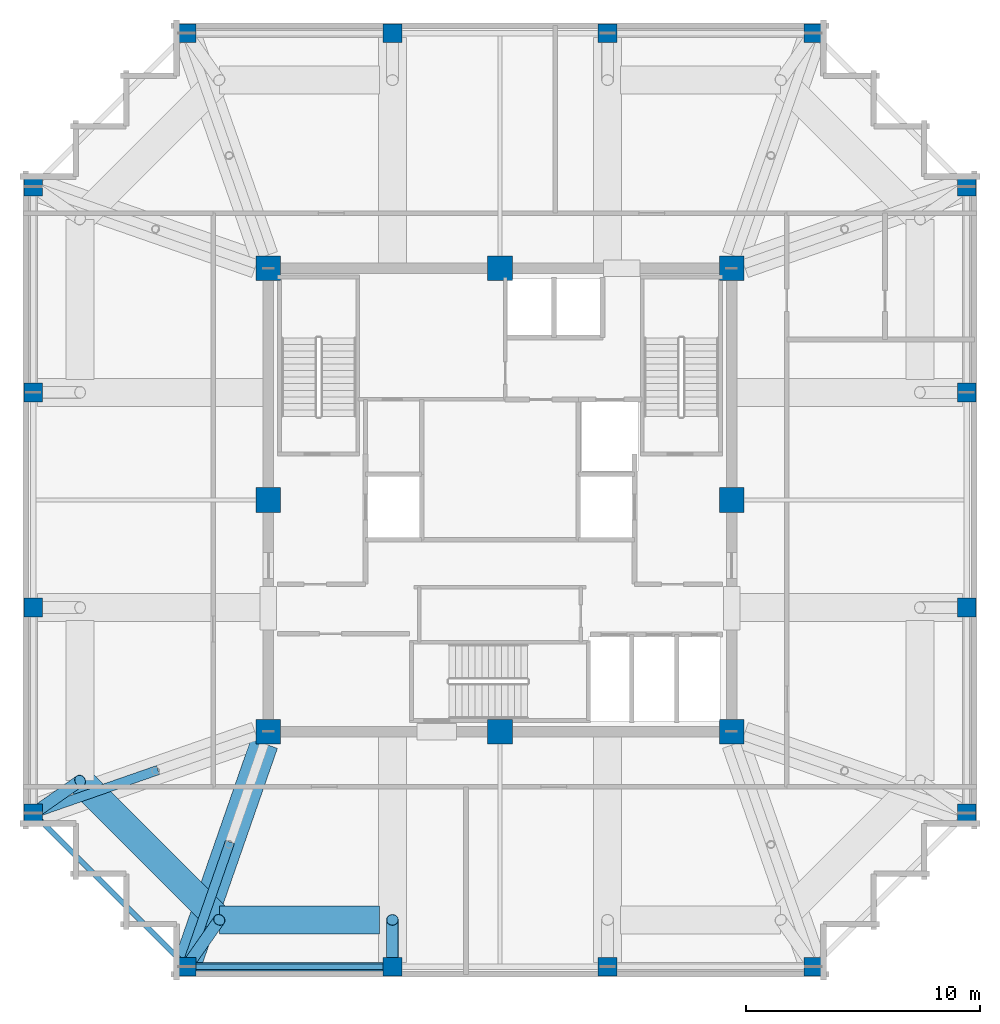
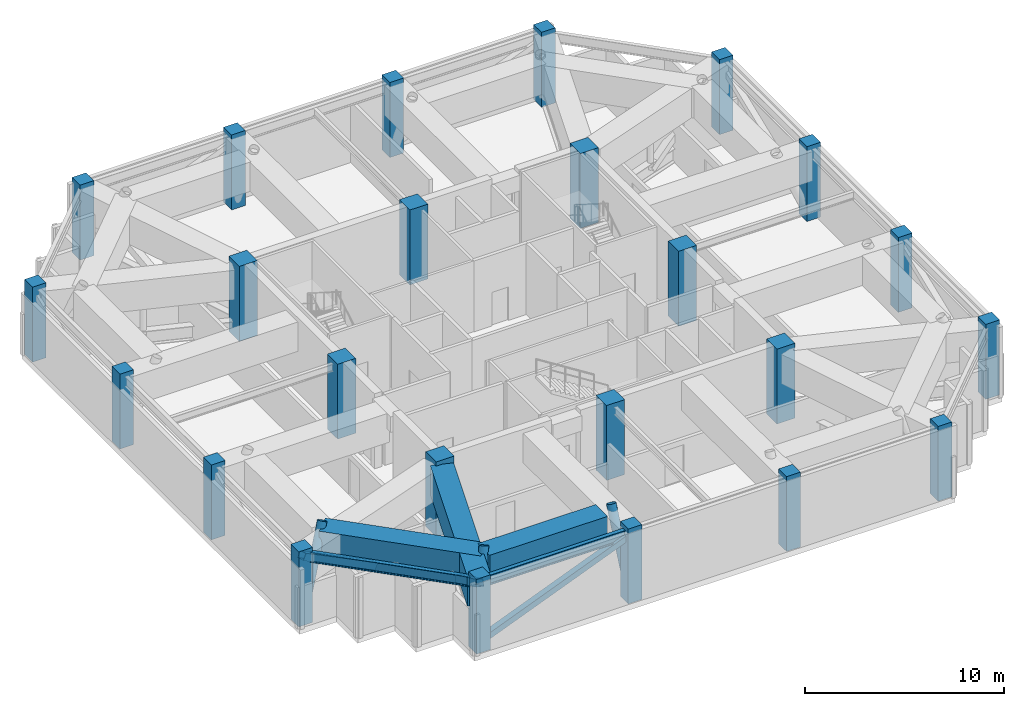
# One storey, part 1 of 14: 24 columns, 6 members, 5 beams.
"""IFC4 building model written with IfcOpenShell, lengths in metres."""

from ifc_helpers import new_model, si_unit, direction, frame, origin, origin_2d, place, context, subcontext, project, spatial, rectangle, hollow_rectangle, hollow_circle, i_section, extrude, material, material_profile, profile_set, type_object, element, save


model = new_model("IFC4")

# Units and contexts
model_context = context("Model", 3, precision=1e-05, world=origin(), true_north=direction((0.0, 1.0)))
body_context = subcontext(model_context, "Body", "Model", "MODEL_VIEW")
ifc_project = project(units=[si_unit("LENGTHUNIT", "METRE"), si_unit("AREAUNIT", "SQUARE_METRE"), si_unit("VOLUMEUNIT", "CUBIC_METRE"), si_unit("PLANEANGLEUNIT", "RADIAN"), si_unit("MASSUNIT", "GRAM", prefix="KILO")], contexts=[model_context])

# Site, building, storey
site_placement = place(None, origin())
site = spatial("IfcSite", under=ifc_project, at=site_placement, CompositionType="ELEMENT")
building_placement = place(site_placement, origin())
building = spatial("IfcBuilding", under=site, at=building_placement, Name="Kolvaren Belvedere", CompositionType="ELEMENT")
storey_placement = place(building_placement, frame((0.0, 0.0, 232.800048828125)))
storey = spatial("IfcBuildingStorey", under=building, at=storey_placement, Name="L68", CompositionType="ELEMENT", Elevation=232.800048828125)

# Columns
ifc_material_1 = material(Name="Concrete C50/60", Category="concrete")
ifc_material_profile_1 = material_profile(ifc_material_1, rectangle(XDim=1.050048828125, YDim=1.050048828125, at=origin_2d()), Name="RC 1050X1050")
ifc_profile_set_1 = profile_set([ifc_material_profile_1], Name="Concrete C50/60")
column_type_1 = type_object("IfcColumnType", Name="COL-RC-1050", PredefinedType="COLUMN", material=ifc_profile_set_1)
for number, where, z_axis, x_axis, name in (
    (1, (-9.89990234375, -9.89990234375, 0.0), (0.0, 0.0, 1.0), (1.0, 0.0, 0.0), "L68 Core Column CC1"),
    (2, (9.89990234375, -9.89990234375, 0.0), (0.0, 0.0, 1.0), (1.0, 0.0, 0.0), "L68 Core Column CC2"),
    (3, (9.89990234375, 9.89990234375, 0.0), (0.0, 0.0, 1.0), (1.0, 0.0, 0.0), "L68 Core Column CC3"),
    (4, (-9.89990234375, 9.89990234375, 0.0), (0.0, 0.0, 1.0), (1.0, 0.0, 0.0), "L68 Core Column CC4"),
    (5, (0.0, -9.89990234375, 0.0), (0.0, 0.0, 1.0), (1.0, 0.0, 0.0), "L68 Core Column CM1"),
    (6, (9.89990234375, 0.0, 0.0), (0.0, 0.0, 1.0), (1.0, 0.0, 0.0), "L68 Core Column CM2"),
    (7, (0.0, 9.89990234375, 0.0), (0.0, 0.0, 1.0), (1.0, 0.0, 0.0), "L68 Core Column CM3"),
    (8, (-9.89990234375, 0.0, 0.0), (0.0, 0.0, 1.0), (1.0, 0.0, 0.0), "L68 Core Column CM4"),
):
    element("IfcColumn", number, at=place(storey_placement, frame(where, z_axis=z_axis, x_axis=x_axis)), inside=storey, type_object=column_type_1, Name=name, PredefinedType="COLUMN", context=body_context, shape_type="SweptSolid", body=[
        extrude(rectangle(XDim=1.050048828125, YDim=1.050048828125, at=origin_2d()), origin(), (0.0, 0.0, 1.0), 4.599853515625),
    ])
ifc_material_2 = material(Name="Concrete C50/60", Category="concrete")
ifc_material_profile_2 = material_profile(ifc_material_2, rectangle(XDim=0.800048828125, YDim=0.800048828125, at=origin_2d()), Name="RC 800X800")
ifc_profile_set_2 = profile_set([ifc_material_profile_2], Name="Concrete C50/60")
column_type_2 = type_object("IfcColumnType", Name="COL-RC-800", PredefinedType="COLUMN", material=ifc_profile_set_2)
for number, where, z_axis, x_axis, name in (
    (9, (-13.39990234375, -19.949951171875, 0.0), (0.0, 0.0, 1.0), (1.0, 0.0, 0.0), "L68 Perimeter Column S1"),
    (10, (-4.60009765625, -19.949951171875, 0.0), (0.0, 0.0, 1.0), (1.0, 0.0, 0.0), "L68 Perimeter Column S2"),
    (11, (4.60009765625, -19.949951171875, 0.0), (0.0, 0.0, 1.0), (1.0, 0.0, 0.0), "L68 Perimeter Column S3"),
    (12, (13.39990234375, -19.949951171875, 0.0), (0.0, 0.0, 1.0), (1.0, 0.0, 0.0), "L68 Perimeter Column S4"),
    (13, (-13.39990234375, 19.949951171875, 0.0), (0.0, 0.0, 1.0), (1.0, 0.0, 0.0), "L68 Perimeter Column N1"),
    (14, (-4.60009765625, 19.949951171875, 0.0), (0.0, 0.0, 1.0), (1.0, 0.0, 0.0), "L68 Perimeter Column N2"),
    (15, (4.60009765625, 19.949951171875, 0.0), (0.0, 0.0, 1.0), (1.0, 0.0, 0.0), "L68 Perimeter Column N3"),
    (16, (13.39990234375, 19.949951171875, 0.0), (0.0, 0.0, 1.0), (1.0, 0.0, 0.0), "L68 Perimeter Column N4"),
    (17, (-19.949951171875, -13.39990234375, 0.0), (0.0, 0.0, 1.0), (1.0, 0.0, 0.0), "L68 Perimeter Column W1"),
    (18, (-19.949951171875, -4.60009765625, 0.0), (0.0, 0.0, 1.0), (1.0, 0.0, 0.0), "L68 Perimeter Column W2"),
    (19, (-19.949951171875, 4.60009765625, 0.0), (0.0, 0.0, 1.0), (1.0, 0.0, 0.0), "L68 Perimeter Column W3"),
    (20, (-19.949951171875, 13.39990234375, 0.0), (0.0, 0.0, 1.0), (1.0, 0.0, 0.0), "L68 Perimeter Column W4"),
    (21, (19.949951171875, -13.39990234375, 0.0), (0.0, 0.0, 1.0), (1.0, 0.0, 0.0), "L68 Perimeter Column E1"),
    (22, (19.949951171875, -4.60009765625, 0.0), (0.0, 0.0, 1.0), (1.0, 0.0, 0.0), "L68 Perimeter Column E2"),
    (23, (19.949951171875, 4.60009765625, 0.0), (0.0, 0.0, 1.0), (1.0, 0.0, 0.0), "L68 Perimeter Column E3"),
    (24, (19.949951171875, 13.39990234375, 0.0), (0.0, 0.0, 1.0), (1.0, 0.0, 0.0), "L68 Perimeter Column E4"),
):
    element("IfcColumn", number, at=place(storey_placement, frame(where, z_axis=z_axis, x_axis=x_axis)), inside=storey, type_object=column_type_2, Name=name, PredefinedType="COLUMN", context=body_context, shape_type="SweptSolid", body=[
        extrude(rectangle(XDim=0.800048828125, YDim=0.800048828125, at=origin_2d()), origin(), (0.0, 0.0, 1.0), 4.599853515625),
    ])

# Beams
ifc_material_3 = material(Name="Structural steel ASTM A992 Grade 50", Category="steel")
ifc_material_profile_3 = material_profile(ifc_material_3, i_section(OverallWidth=0.22900390625, OverallDepth=0.612060546875, WebThickness=0.011962890625, FlangeThickness=0.01953125, FilletRadius=0.01806640625, at=origin_2d()), Name="W24X84")
ifc_profile_set_3 = profile_set([ifc_material_profile_3], Name="Structural steel ASTM A992 Grade 50")
beam_type_1 = type_object("IfcBeamType", Name="BM-SPAN-W24X84", PredefinedType="SPANDREL", material=ifc_profile_set_3)
beam_1_placement = place(storey_placement, frame((-13.219970703125, -19.949951171875, 4.0439453125), z_axis=(1.0, 0.0, 0.0), x_axis=(0.0, 1.0, 0.0)))
element("IfcBeam", 25, at=beam_1_placement, inside=storey, type_object=beam_type_1, Name="L68 Perimeter Spandrel S1-S2", PredefinedType="SPANDREL", context=body_context, shape_type="SweptSolid", body=[
    extrude(i_section(OverallWidth=0.22900390625, OverallDepth=0.612060546875, WebThickness=0.011962890625, FlangeThickness=0.01953125, FilletRadius=0.01806640625, at=origin_2d()), origin(), (0.0, 0.0, 1.0), 8.43994140625),
])
beam_2_placement = place(storey_placement, frame((-19.82275390625, -13.52734375, 4.0439453125), z_axis=(0.707106781187, -0.707106781187, 0.0), x_axis=(0.707106781187, 0.707106781187, 0.0)))
element("IfcBeam", 26, at=beam_2_placement, inside=storey, type_object=beam_type_1, Name="L68 Perimeter Spandrel W1-S1", PredefinedType="SPANDREL", context=body_context, shape_type="SweptSolid", body=[
    extrude(i_section(OverallWidth=0.22900390625, OverallDepth=0.612060546875, WebThickness=0.011962890625, FlangeThickness=0.01953125, FilletRadius=0.01806640625, at=origin_2d()), origin(), (0.0, 0.0, 1.0), 8.903076171875),
])
ifc_material_4 = material(Name="Concrete C50/60", Category="concrete")
ifc_material_profile_4 = material_profile(ifc_material_4, rectangle(XDim=1.199951171875, YDim=1.800048828125, at=origin_2d()), Name="RC 1200X1800")
ifc_profile_set_4 = profile_set([ifc_material_profile_4], Name="Concrete C50/60")
beam_type_2 = type_object("IfcBeamType", Name="BM-TG-1800", PredefinedType="BEAM", material=ifc_profile_set_4)
beam_3_placement = place(storey_placement, frame((-12.0, -17.949951171875, 3.449951171875), z_axis=(1.0, 0.0, 0.0), x_axis=(0.0, 1.0, 0.0)))
element("IfcBeam", 27, at=beam_3_placement, inside=storey, type_object=beam_type_2, Name="L68 Step Transfer Ring Girder S1-S2", PredefinedType="BEAM", context=body_context, shape_type="SweptSolid", body=[
    extrude(rectangle(XDim=1.199951171875, YDim=1.800048828125, at=origin_2d()), origin(), (0.0, 0.0, 1.0), 6.85009765625),
])
beam_4_placement = place(storey_placement, frame((-17.949951171875, -12.0, 3.449951171875), z_axis=(0.707106781187, -0.707106781187, 0.0), x_axis=(0.707106781187, 0.707106781187, 0.0)))
element("IfcBeam", 28, at=beam_4_placement, inside=storey, type_object=beam_type_2, Name="L68 Step Transfer Ring Girder W1-S1", PredefinedType="BEAM", context=body_context, shape_type="SweptSolid", body=[
    extrude(rectangle(XDim=1.199951171875, YDim=1.800048828125, at=origin_2d()), origin(), (0.0, 0.0, 1.0), 8.41455078125),
])
beam_5_placement = place(storey_placement, frame((-10.080810546875, -10.41943359375, 3.449951171875), z_axis=(-0.328898147971, -0.944365399758, 0.0), x_axis=(0.944365399758, -0.328898147971, 0.0)))
element("IfcBeam", 29, at=beam_5_placement, inside=storey, type_object=beam_type_2, Name="L68 Corner Core-to-Perimeter Girder CC1-S1", PredefinedType="BEAM", context=body_context, shape_type="SweptSolid", body=[
    extrude(rectangle(XDim=1.199951171875, YDim=1.800048828125, at=origin_2d()), origin(), (0.0, 0.0, 1.0), 9.931884765625),
])

# Members
ifc_material_5 = material(Name="Structural steel ASTM A500 Grade C", Category="steel")
ifc_material_profile_5 = material_profile(ifc_material_5, hollow_rectangle(XDim=0.35595703125, YDim=0.35595703125, WallThickness=0.01171875, at=origin_2d()), Name="HSS14X14X1/2")
ifc_profile_set_5 = profile_set([ifc_material_profile_5], Name="Structural steel ASTM A500 Grade C")
member_type_1 = type_object("IfcMemberType", Name="MB-BELT-BRACE", PredefinedType="BRACE", material=ifc_profile_set_5)
member_1_placement = place(storey_placement, frame((-13.39990234375, -19.949951171875, 0.47998046875), z_axis=(0.928473137817, 0.0, 0.371399558902), x_axis=(0.0, 1.0, 0.0)))
element("IfcMember", 30, at=member_1_placement, inside=storey, type_object=member_type_1, Name="L68 Perimeter Belt Truss Brace BT-1", PredefinedType="BRACE", context=body_context, shape_type="SweptSolid", body=[
    extrude(hollow_rectangle(XDim=0.35595703125, YDim=0.35595703125, WallThickness=0.01171875, at=origin_2d()), origin(), (0.0, 0.0, 1.0), 9.477783203125),
])
ifc_material_6 = material(Name="Structural steel ASTM A500 Grade C", Category="steel")
ifc_material_profile_6 = material_profile(ifc_material_6, hollow_rectangle(XDim=0.406005859375, YDim=0.406005859375, WallThickness=0.014892578125, at=origin_2d()), Name="HSS16X16X5/8")
ifc_profile_set_6 = profile_set([ifc_material_profile_6], Name="Structural steel ASTM A500 Grade C")
member_type_2 = type_object("IfcMemberType", Name="MB-OUTRIGGER", PredefinedType="BRACE", material=ifc_profile_set_6)
for number, where, z_axis, x_axis, name in (
    (31, (-11.580078125, -14.72412109375, 0.47998046875), (-0.27748317362, -0.796824165727, 0.536725569795), (0.944376502414, -0.32886626718, 0.0), "L68 Outrigger Truss Diagonal OT-1A"),
    (32, (-14.72412109375, -11.580078125, 0.47998046875), (-0.796824165727, -0.27748317362, 0.536725569795), (0.32886626718, -0.944376502414, 0.0), "L68 Outrigger Truss Diagonal OT-2A"),
):
    element("IfcMember", number, at=place(storey_placement, frame(where, z_axis=z_axis, x_axis=x_axis)), inside=storey, type_object=member_type_2, Name=name, PredefinedType="BRACE", context=body_context, shape_type="SweptSolid", body=[
        extrude(hollow_rectangle(XDim=0.406005859375, YDim=0.406005859375, WallThickness=0.014892578125, at=origin_2d()), origin(), (0.0, 0.0, 1.0), 6.558349609375),
    ])
ifc_material_7 = material(Name="Structural steel ASTM A500 Grade C", Category="steel")
ifc_material_profile_7 = material_profile(ifc_material_7, hollow_circle(Radius=0.25390625, WallThickness=0.01171875, at=origin_2d()), Name="HSS20.000X0.500")
ifc_profile_set_7 = profile_set([ifc_material_profile_7], Name="Structural steel ASTM A500 Grade C")
member_type_3 = type_object("IfcMemberType", Name="MB-WAIST-STRUT", PredefinedType="STRUT", material=ifc_profile_set_7)
member_2_placement = place(storey_placement, frame((-13.39990234375, -19.949951171875, 0.0), z_axis=(0.268822662479, 0.384059164812, 0.883307949733), x_axis=(-0.819250713189, 0.573435496756, 0.0)))
element("IfcMember", 33, at=member_2_placement, inside=storey, type_object=member_type_3, Name="L68 Inclined Waist Transition Strut S1", PredefinedType="STRUT", context=body_context, shape_type="SweptSolid", body=[
    extrude(hollow_circle(Radius=0.25390625, WallThickness=0.01171875, at=origin_2d()), origin(), (0.0, 0.0, 1.0), 5.20751953125),
])
member_3_placement = place(storey_placement, frame((-4.60009765625, -19.949951171875, 0.0), z_axis=(0.0, 0.398736790245, 0.917065413209), x_axis=(-1.0, 0.0, 0.0)))
element("IfcMember", 34, at=member_3_placement, inside=storey, type_object=member_type_3, Name="L68 Inclined Waist Transition Strut S2", PredefinedType="STRUT", context=body_context, shape_type="SweptSolid", body=[
    extrude(hollow_circle(Radius=0.25390625, WallThickness=0.01171875, at=origin_2d()), origin(), (0.0, 0.0, 1.0), 5.015869140625),
])
member_4_placement = place(storey_placement, frame((-19.949951171875, -13.39990234375, 0.0), z_axis=(0.384059164812, 0.268822662479, 0.883307949733), x_axis=(-0.573435496756, 0.819250713189, 0.0)))
element("IfcMember", 35, at=member_4_placement, inside=storey, type_object=member_type_3, Name="L68 Inclined Waist Transition Strut W1", PredefinedType="STRUT", context=body_context, shape_type="SweptSolid", body=[
    extrude(hollow_circle(Radius=0.25390625, WallThickness=0.01171875, at=origin_2d()), origin(), (0.0, 0.0, 1.0), 5.20751953125),
])

save(model, "model.ifc")
